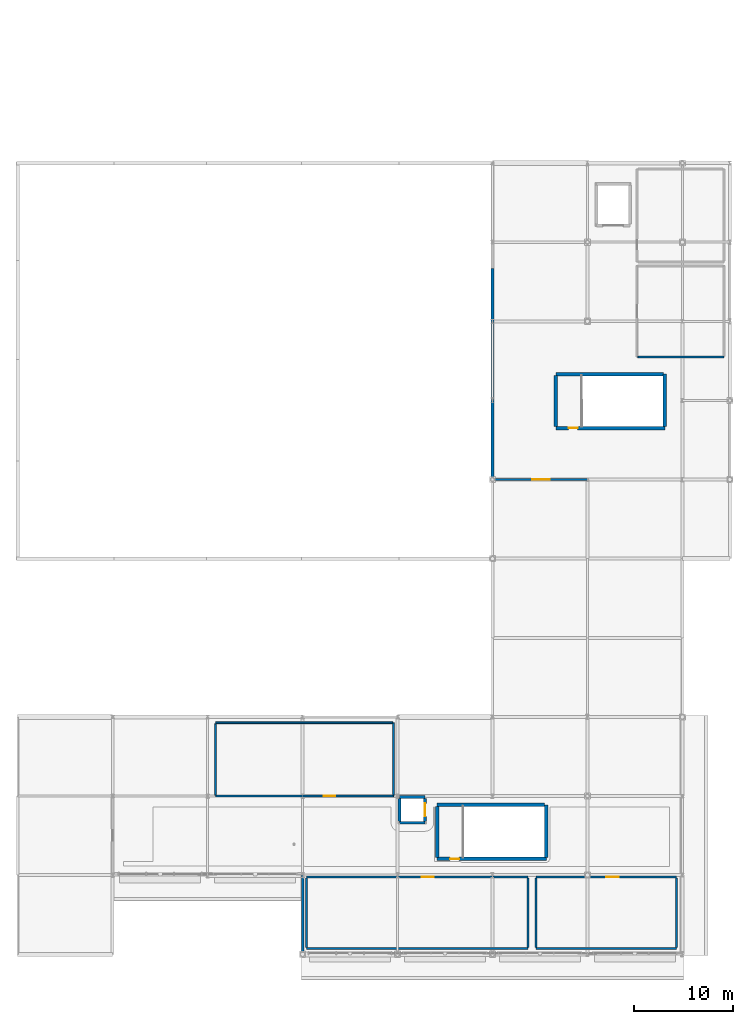
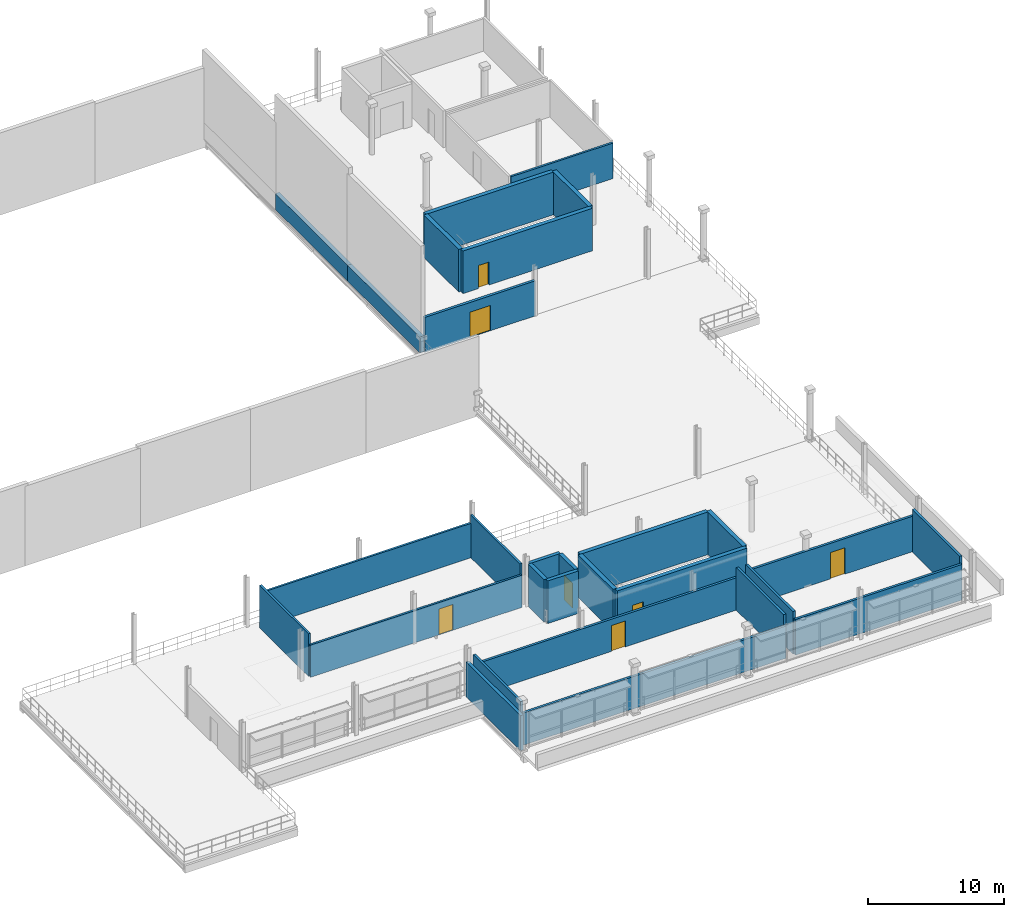
# One storey, part 40 of 59: 29 walls, 7 doors, 7 openings.
"""IFC4 building model written with IfcOpenShell, lengths in metres."""

from ifc_helpers import new_model, si_unit, direction, frame, frame_2d, origin, place, context, subcontext, project, spatial, rectangle, extrude, material, layer, layer_set, type_object, element, fill, save


model = new_model("IFC4")

# Units and contexts
model_context = context("Model", 3, precision=1e-05, world=origin(), true_north=direction((0.0, 1.0)))
body_context = subcontext(model_context, "Body", "Model", "MODEL_VIEW")
ifc_project = project(units=[si_unit("LENGTHUNIT", "METRE"), si_unit("AREAUNIT", "SQUARE_METRE"), si_unit("VOLUMEUNIT", "CUBIC_METRE"), si_unit("PLANEANGLEUNIT", "RADIAN"), si_unit("MASSUNIT", "GRAM", prefix="KILO")], contexts=[model_context])

# Site, building, storey
site_placement = place(None, origin())
site = spatial("IfcSite", under=ifc_project, at=site_placement, CompositionType="ELEMENT")
building_placement = place(site_placement, origin())
building = spatial("IfcBuilding", under=site, at=building_placement, Name="Danafjord Basin Convention Centre", CompositionType="ELEMENT")
storey_placement = place(building_placement, frame((0.0, 0.0, 15.89990234375)))
storey = spatial("IfcBuildingStorey", under=building, at=storey_placement, Name="L03", CompositionType="ELEMENT", Elevation=15.89990234375)

# Walls
ifc_material_1 = material(Name="Concrete C40/50", Category="concrete")
ifc_layer_1 = layer(ifc_material_1, 0.300048828125)
ifc_layer_set_1 = layer_set([ifc_layer_1], Name="Concrete C40/50")
wall_type_1 = type_object("IfcWallType", Name="WALL-CW-CORE300", PredefinedType="SHEAR", material=ifc_layer_set_1)
for number, where, z_axis, x_axis, name in (
    (1, (185.199951171875, 15.89990234375, 0.0), (0.0, 0.0, 1.0), (-1.0, 0.0, 0.0), "Lift LF-P06 shaft shear wall"),
    (2, (182.60009765625, 13.300048828125, 0.0), (0.0, 0.0, 1.0), (1.0, 0.0, 0.0), "Lift LF-P06 shaft shear wall"),
):
    element("IfcWall", number, at=place(storey_placement, frame(where, z_axis=z_axis, x_axis=x_axis)), inside=storey, type_object=wall_type_1, Name=name, PredefinedType="SHEAR", context=body_context, shape_type="SweptSolid", body=[
        extrude(rectangle(XDim=2.599853515625, YDim=0.300048828125, at=frame_2d((1.2998046875, 0.0))), origin(), (0.0, 0.0, 1.0), 3.835205078125),
    ])

# Wall, opening, door
wall_1_placement = place(storey_placement, frame((185.199951171875, 13.43505859375, 0.0), z_axis=(0.0, 0.0, 1.0), x_axis=(0.0, 1.0, 0.0)))
wall_1 = element("IfcWall", 3, at=wall_1_placement, inside=storey, type_object=wall_type_1, Name="Lift LF-P06 shaft shear wall", PredefinedType="SHEAR", context=body_context, shape_type="SweptSolid", body=[
    extrude(rectangle(XDim=2.329833984375, YDim=0.300048828125, at=frame_2d((1.1650390625, 0.0))), origin(), (0.0, 0.0, 1.0), 3.835205078125),
])
opening_1_placement = place(wall_1_placement, frame((0.514892578125, 0.0, 0.0)))
opening_1 = element("IfcOpeningElement", 4, at=opening_1_placement, cuts=wall_1, Name="Opening LD-P02", PredefinedType="OPENING", context=body_context, shape_type="SweptSolid", body=[
    extrude(rectangle(XDim=1.300048828125, YDim=2.219970703125, at=frame_2d((0.64990234375, 1.10986328125))), frame((0.0, 0.159912109375, 0.0), z_axis=(0.0, -1.0, 0.0), x_axis=(1.0, 0.0, 0.0)), (0.0, 0.0, 1.0), 0.320068359375),
])
ifc_material_2 = material(Name="Brushed stainless steel and acoustic laminated glass", Category="steel")
door_type_1 = type_object("IfcDoorType", Name="DOOR-LD-P02", OperationType="DOUBLE_DOOR_SLIDING", PredefinedType="DOOR", material=ifc_material_2)
door_1_placement = place(opening_1_placement, origin())
door_1 = element("IfcDoor", 5, at=door_1_placement, inside=storey, type_object=door_type_1, Name="Lift LF-P06 L03 Landing Door", OperationType="DOUBLE_DOOR_SLIDING", OverallHeight=2.219970703125, OverallWidth=1.300048828125, PredefinedType="DOOR", context=body_context, shape_type="SweptSolid", body=[
    extrude(rectangle(XDim=1.300048828125, YDim=2.219970703125, at=frame_2d((0.64990234375, 1.10986328125))), frame((0.0, 0.02490234375, 0.0), z_axis=(0.0, -1.0, 0.0), x_axis=(1.0, 0.0, 0.0)), (0.0, 0.0, 1.0), 0.050048828125),
])
fill(opening_1, door_1)

# Wall
wall_2_placement = place(storey_placement, frame((182.60009765625, 15.764892578125, 0.0), z_axis=(0.0, 0.0, 1.0), x_axis=(0.0, -1.0, 0.0)))
element("IfcWall", 6, at=wall_2_placement, inside=storey, type_object=wall_type_1, Name="Lift LF-P06 shaft shear wall", PredefinedType="SHEAR", context=body_context, shape_type="SweptSolid", body=[
    extrude(rectangle(XDim=2.329833984375, YDim=0.300048828125, at=frame_2d((1.1650390625, 0.0))), origin(), (0.0, 0.0, 1.0), 3.835205078125),
])

# Wall, opening, door
ifc_material_3 = material(Name="Concrete C45/55", Category="concrete")
ifc_layer_2 = layer(ifc_material_3, 0.35009765625)
ifc_layer_set_2 = layer_set([ifc_layer_2], Name="Concrete C45/55")
wall_type_2 = type_object("IfcWallType", Name="WALL-CW-CORE350", PredefinedType="SHEAR", material=ifc_layer_set_2)
wall_3_placement = place(storey_placement, frame((198.39990234375, 53.199951171875, 0.0), z_axis=(0.0, 0.0, 1.0), x_axis=(1.0, 0.0, 0.0)))
wall_3 = element("IfcWall", 7, at=wall_3_placement, inside=storey, type_object=wall_type_2, Name="Ballroom East Core Stair 1 core shear wall (south)", PredefinedType="SHEAR", context=body_context, shape_type="SweptSolid", body=[
    extrude(rectangle(XDim=11.0400390625, YDim=0.35009765625, at=frame_2d((5.52001953125, 0.0))), origin(), (0.0, 0.0, 1.0), 3.835205078125),
])
opening_2_placement = place(wall_3_placement, frame((1.31201171875, 0.0, 0.0)))
opening_2 = element("IfcOpeningElement", 8, at=opening_2_placement, cuts=wall_3, Name="Opening FD-S01", PredefinedType="OPENING", context=body_context, shape_type="SweptSolid", body=[
    extrude(rectangle(XDim=0.909912109375, YDim=2.080078125, at=frame_2d((0.455078125, 1.0400390625))), frame((0.0, 0.18505859375, 0.0), z_axis=(0.0, -1.0, 0.0), x_axis=(1.0, 0.0, 0.0)), (0.0, 0.0, 1.0), 0.3701171875),
])
ifc_material_4 = material(Name="Powder-coated steel and Nordic oak", Category="steel")
door_type_2 = type_object("IfcDoorType", Name="DOOR-FD-S01", OperationType="NOTDEFINED", PredefinedType="DOOR", material=ifc_material_4)
door_2_placement = place(opening_2_placement, origin())
door_2 = element("IfcDoor", 9, at=door_2_placement, inside=storey, type_object=door_type_2, Name="Ballroom East Core Stair 1 L03 Fire Exit Door", OperationType="SINGLE_SWING_RIGHT", OverallHeight=2.080078125, OverallWidth=0.909912109375, PredefinedType="DOOR", context=body_context, shape_type="SweptSolid", body=[
    extrude(rectangle(XDim=0.909912109375, YDim=2.080078125, at=frame_2d((0.455078125, 1.0400390625))), frame((0.0, 0.02490234375, 0.0), z_axis=(0.0, -1.0, 0.0), x_axis=(1.0, 0.0, 0.0)), (0.0, 0.0, 1.0), 0.050048828125),
])
fill(opening_2, door_2)

# Walls
wall_4_placement = place(storey_placement, frame((209.43994140625, 53.360107421875, 0.0), z_axis=(0.0, 0.0, 1.0), x_axis=(0.0, 1.0, 0.0)))
element("IfcWall", 10, at=wall_4_placement, inside=storey, type_object=wall_type_2, Name="Ballroom East Core Stair 1 core shear wall (east)", PredefinedType="SHEAR", context=body_context, shape_type="SweptSolid", body=[
    extrude(rectangle(XDim=5.2998046875, YDim=0.35009765625, at=frame_2d((2.64990234375, 0.0))), origin(), (0.0, 0.0, 1.0), 3.835205078125),
])
wall_5_placement = place(storey_placement, frame((209.280029296875, 58.659912109375, 0.0), z_axis=(0.0, 0.0, 1.0), x_axis=(-1.0, 0.0, 0.0)))
element("IfcWall", 11, at=wall_5_placement, inside=storey, type_object=wall_type_2, Name="Ballroom East Core Stair 1 core shear wall (north)", PredefinedType="SHEAR", context=body_context, shape_type="SweptSolid", body=[
    extrude(rectangle(XDim=10.880126953125, YDim=0.35009765625, at=frame_2d((5.43994140625, 0.0))), origin(), (0.0, 0.0, 1.0), 3.835205078125),
])
wall_6_placement = place(storey_placement, frame((198.39990234375, 58.5, 0.0), z_axis=(0.0, 0.0, 1.0), x_axis=(0.0, -1.0, 0.0)))
element("IfcWall", 12, at=wall_6_placement, inside=storey, type_object=wall_type_2, Name="Ballroom East Core Stair 1 core shear wall (west)", PredefinedType="SHEAR", context=body_context, shape_type="SweptSolid", body=[
    extrude(rectangle(XDim=5.139892578125, YDim=0.35009765625, at=frame_2d((2.56982421875, 0.0))), origin(), (0.0, 0.0, 1.0), 3.835205078125),
])

# Wall, opening, door
wall_7_placement = place(storey_placement, frame((186.39990234375, 9.64990234375, 0.0), z_axis=(0.0, 0.0, 1.0), x_axis=(1.0, 0.0, 0.0)))
wall_7 = element("IfcWall", 13, at=wall_7_placement, inside=storey, type_object=wall_type_2, Name="Harbour Pavilion Core Stair 1 core shear wall (south)", PredefinedType="SHEAR", context=body_context, shape_type="SweptSolid", body=[
    extrude(rectangle(XDim=11.0400390625, YDim=0.35009765625, at=frame_2d((5.52001953125, 0.0))), origin(), (0.0, 0.0, 1.0), 3.835205078125),
])
opening_3_placement = place(wall_7_placement, frame((1.31201171875, 0.0, 0.0)))
opening_3 = element("IfcOpeningElement", 14, at=opening_3_placement, cuts=wall_7, Name="Opening FD-S01", PredefinedType="OPENING", context=body_context, shape_type="SweptSolid", body=[
    extrude(rectangle(XDim=0.909912109375, YDim=2.080078125, at=frame_2d((0.455078125, 1.0400390625))), frame((0.0, 0.18505859375, 0.0), z_axis=(0.0, -1.0, 0.0), x_axis=(1.0, 0.0, 0.0)), (0.0, 0.0, 1.0), 0.3701171875),
])
door_3_placement = place(opening_3_placement, origin())
door_3 = element("IfcDoor", 15, at=door_3_placement, inside=storey, type_object=door_type_2, Name="Harbour Pavilion Core Stair 1 L03 Fire Exit Door", OperationType="SINGLE_SWING_LEFT", OverallHeight=2.080078125, OverallWidth=0.909912109375, PredefinedType="DOOR", context=body_context, shape_type="SweptSolid", body=[
    extrude(rectangle(XDim=0.909912109375, YDim=2.080078125, at=frame_2d((0.455078125, 1.0400390625))), frame((0.0, 0.02490234375, 0.0), z_axis=(0.0, -1.0, 0.0), x_axis=(1.0, 0.0, 0.0)), (0.0, 0.0, 1.0), 0.050048828125),
])
fill(opening_3, door_3)

# Walls
wall_8_placement = place(storey_placement, frame((197.43994140625, 9.81005859375, 0.0), z_axis=(0.0, 0.0, 1.0), x_axis=(0.0, 1.0, 0.0)))
element("IfcWall", 16, at=wall_8_placement, inside=storey, type_object=wall_type_2, Name="Harbour Pavilion Core Stair 1 core shear wall (east)", PredefinedType="SHEAR", context=body_context, shape_type="SweptSolid", body=[
    extrude(rectangle(XDim=5.300048828125, YDim=0.35009765625, at=frame_2d((2.64990234375, 0.0))), origin(), (0.0, 0.0, 1.0), 3.835205078125),
])
wall_9_placement = place(storey_placement, frame((197.280029296875, 15.110107421875, 0.0), z_axis=(0.0, 0.0, 1.0), x_axis=(-1.0, 0.0, 0.0)))
element("IfcWall", 17, at=wall_9_placement, inside=storey, type_object=wall_type_2, Name="Harbour Pavilion Core Stair 1 core shear wall (north)", PredefinedType="SHEAR", context=body_context, shape_type="SweptSolid", body=[
    extrude(rectangle(XDim=10.880126953125, YDim=0.35009765625, at=frame_2d((5.43994140625, 0.0))), origin(), (0.0, 0.0, 1.0), 3.835205078125),
])
wall_10_placement = place(storey_placement, frame((186.39990234375, 14.949951171875, 0.0), z_axis=(0.0, 0.0, 1.0), x_axis=(0.0, -1.0, 0.0)))
element("IfcWall", 18, at=wall_10_placement, inside=storey, type_object=wall_type_2, Name="Harbour Pavilion Core Stair 1 core shear wall (west)", PredefinedType="SHEAR", context=body_context, shape_type="SweptSolid", body=[
    extrude(rectangle(XDim=5.139892578125, YDim=0.35009765625, at=frame_2d((2.56982421875, 0.0))), origin(), (0.0, 0.0, 1.0), 3.835205078125),
])
ifc_material_5 = material(Name="Precast concrete C40/50", Category="concrete")
ifc_layer_3 = layer(ifc_material_5, 0.340087890625)
ifc_layer_set_3 = layer_set([ifc_layer_3], Name="Precast concrete C40/50")
wall_type_3 = type_object("IfcWallType", Name="WALL-EW-PC340", PredefinedType="SOLIDWALL", material=ifc_layer_set_3)
wall_11_placement = place(storey_placement, frame((192.0, 48.0, 0.0), z_axis=(0.0, 0.0, 1.0), x_axis=(0.0, 1.0, 0.0)))
element("IfcWall", 19, at=wall_11_placement, inside=storey, type_object=wall_type_3, Name="L03 east congress wing facade wall", PredefinedType="SOLIDWALL", context=body_context, shape_type="SweptSolid", body=[
    extrude(rectangle(XDim=10.6669921875, YDim=0.340087890625, at=frame_2d((5.33349609375, 0.0))), origin(), (0.0, 0.0, 1.0), 1.440185546875),
])
wall_12_placement = place(storey_placement, frame((192.0, 58.6669921875, 0.0), z_axis=(0.0, 0.0, 1.0), x_axis=(0.0, 1.0, 0.0)))
element("IfcWall", 20, at=wall_12_placement, inside=storey, type_object=wall_type_3, Name="L03 east congress wing facade wall", PredefinedType="SOLIDWALL", context=body_context, shape_type="SweptSolid", body=[
    extrude(rectangle(XDim=10.666015625, YDim=0.340087890625, at=frame_2d((5.3330078125, 0.0))), origin(), (0.0, 0.0, 1.0), 1.440185546875),
])

# Wall, opening, door
ifc_material_6 = material(Name="Concrete C35/45", Category="concrete")
ifc_layer_4 = layer(ifc_material_6, 0.22998046875)
ifc_layer_set_4 = layer_set([ifc_layer_4], Name="Concrete C35/45")
wall_type_4 = type_object("IfcWallType", Name="WALL-EW-STD230", PredefinedType="STANDARD", material=ifc_layer_set_4)
wall_13_placement = place(storey_placement, frame((192.174072265625, 48.0, 0.0), z_axis=(0.0, 0.0, 1.0), x_axis=(1.0, 0.0, 0.0)))
wall_13 = element("IfcWall", 21, at=wall_13_placement, inside=storey, type_object=wall_type_4, Name="L03 Ballroom roof-garden access wall", PredefinedType="STANDARD", context=body_context, shape_type="SweptSolid", body=[
    extrude(rectangle(XDim=9.426025390625, YDim=0.22998046875, at=frame_2d((4.712890625, 0.0))), origin(), (0.0, 0.0, 1.0), 3.155029296875),
])
opening_4_placement = place(wall_13_placement, frame((3.8330078125, 0.0, 0.0)))
opening_4 = element("IfcOpeningElement", 22, at=opening_4_placement, cuts=wall_13, Name="Opening ED-04", PredefinedType="OPENING", context=body_context, shape_type="SweptSolid", body=[
    extrude(rectangle(XDim=1.760009765625, YDim=2.280029296875, at=frame_2d((0.8798828125, 1.14013671875))), frame((0.0, 0.125, 0.0), z_axis=(0.0, -1.0, 0.0), x_axis=(1.0, 0.0, 0.0)), (0.0, 0.0, 1.0), 0.25),
])
ifc_material_7 = material(Name="Thermally broken anodised aluminium and steel", Category="steel")
door_type_3 = type_object("IfcDoorType", Name="DOOR-ED-04", OperationType="DOUBLE_DOOR_SINGLE_SWING", PredefinedType="DOOR", material=ifc_material_7)
door_4_placement = place(opening_4_placement, origin())
door_4 = element("IfcDoor", 23, at=door_4_placement, inside=storey, type_object=door_type_3, Name="Ballroom Roof-Garden Terrace Door", OperationType="DOUBLE_DOOR_SINGLE_SWING", OverallHeight=2.280029296875, OverallWidth=1.760009765625, PredefinedType="DOOR", context=body_context, shape_type="SweptSolid", body=[
    extrude(rectangle(XDim=1.760009765625, YDim=2.280029296875, at=frame_2d((0.8798828125, 1.14013671875))), frame((0.0, 0.02490234375, 0.0), z_axis=(0.0, -1.0, 0.0), x_axis=(1.0, 0.0, 0.0)), (0.0, 0.0, 1.0), 0.050048828125),
])
fill(opening_4, door_4)

# Wall
ifc_layer_5 = layer(ifc_material_6, 0.260009765625)
ifc_layer_set_5 = layer_set([ifc_layer_5], Name="Concrete C35/45")
wall_type_5 = type_object("IfcWallType", Name="WALL-EW-STD260", PredefinedType="STANDARD", material=ifc_layer_set_5)
wall_14_placement = place(storey_placement, frame((172.800048828125, 0.0, 0.0), z_axis=(0.0, 0.0, 1.0), x_axis=(0.0, 1.0, 0.0)))
element("IfcWall", 24, at=wall_14_placement, inside=storey, type_object=wall_type_5, Name="Harbour entry court east cheek wall", PredefinedType="STANDARD", context=body_context, shape_type="SweptSolid", body=[
    extrude(rectangle(XDim=8.0, YDim=0.260009765625, at=frame_2d((4.0, 0.0))), origin(), (0.0, 0.0, 1.0), 3.155029296875),
])

# Wall, opening, door
ifc_material_8 = material(Name="Acoustic double-board gypsum stud partition")
ifc_layer_6 = layer(ifc_material_8, 0.175048828125)
ifc_layer_set_6 = layer_set([ifc_layer_6], Name="Acoustic double-board gypsum stud partition")
wall_type_6 = type_object("IfcWallType", Name="WALL-PT-AC175", PredefinedType="PARTITIONING", material=ifc_layer_set_6)
wall_15_placement = place(storey_placement, frame((164.0, 16.0, 0.0), z_axis=(0.0, 0.0, 1.0), x_axis=(1.0, 0.0, 0.0)))
wall_15 = element("IfcWall", 25, at=wall_15_placement, inside=storey, type_object=wall_type_6, Name="Harbour Executive Dining Restaurant south partition", PredefinedType="PARTITIONING", context=body_context, shape_type="SweptSolid", body=[
    extrude(rectangle(XDim=18.0, YDim=0.175048828125, at=frame_2d((9.0, 0.0))), origin(), (0.0, 0.0, 1.0), 2.905029296875),
])
opening_5_placement = place(wall_15_placement, frame((10.946044921875, 0.0, 0.0)))
opening_5 = element("IfcOpeningElement", 26, at=opening_5_placement, cuts=wall_15, Name="Opening FD-S17", PredefinedType="OPENING", context=body_context, shape_type="SweptSolid", body=[
    extrude(rectangle(XDim=1.159912109375, YDim=2.320068359375, at=frame_2d((0.580078125, 1.16015625))), frame((0.0, 0.097412109375, 0.0), z_axis=(0.0, -1.0, 0.0), x_axis=(1.0, 0.0, 0.0)), (0.0, 0.0, 1.0), 0.195068359375),
])
door_type_4 = type_object("IfcDoorType", Name="DOOR-FD-S17", OperationType="NOTDEFINED", PredefinedType="DOOR", material=ifc_material_4)
door_5_placement = place(opening_5_placement, origin())
door_5 = element("IfcDoor", 27, at=door_5_placement, inside=storey, type_object=door_type_4, Name="Harbour Executive Dining Restaurant Entrance Door", OperationType="SINGLE_SWING_RIGHT", OverallHeight=2.320068359375, OverallWidth=1.159912109375, PredefinedType="DOOR", context=body_context, shape_type="SweptSolid", body=[
    extrude(rectangle(XDim=1.159912109375, YDim=2.320068359375, at=frame_2d((0.580078125, 1.16015625))), frame((0.0, 0.02490234375, 0.0), z_axis=(0.0, -1.0, 0.0), x_axis=(1.0, 0.0, 0.0)), (0.0, 0.0, 1.0), 0.050048828125),
])
fill(opening_5, door_5)

# Walls
wall_16_placement = place(storey_placement, frame((182.0, 16.091552734375, 0.0), z_axis=(0.0, 0.0, 1.0), x_axis=(0.0, 1.0, 0.0)))
element("IfcWall", 28, at=wall_16_placement, inside=storey, type_object=wall_type_6, Name="Harbour Executive Dining Restaurant east partition", PredefinedType="PARTITIONING", context=body_context, shape_type="SweptSolid", body=[
    extrude(rectangle(XDim=7.308349609375, YDim=0.175048828125, at=frame_2d((3.654296875, 0.0))), origin(), (0.0, 0.0, 1.0), 3.835205078125),
])
wall_17_placement = place(storey_placement, frame((181.908447265625, 23.39990234375, 0.0), z_axis=(0.0, 0.0, 1.0), x_axis=(-1.0, 0.0, 0.0)))
element("IfcWall", 29, at=wall_17_placement, inside=storey, type_object=wall_type_6, Name="Harbour Executive Dining Restaurant north partition", PredefinedType="PARTITIONING", context=body_context, shape_type="SweptSolid", body=[
    extrude(rectangle(XDim=17.908447265625, YDim=0.175048828125, at=frame_2d((8.9541015625, 0.0))), origin(), (0.0, 0.0, 1.0), 3.10498046875),
])
wall_18_placement = place(storey_placement, frame((164.0, 23.30859375, 0.0), z_axis=(0.0, 0.0, 1.0), x_axis=(0.0, -1.0, 0.0)))
element("IfcWall", 30, at=wall_18_placement, inside=storey, type_object=wall_type_6, Name="Harbour Executive Dining Restaurant west partition", PredefinedType="PARTITIONING", context=body_context, shape_type="SweptSolid", body=[
    extrude(rectangle(XDim=7.217041015625, YDim=0.175048828125, at=frame_2d((3.6083984375, 0.0))), origin(), (0.0, 0.0, 1.0), 3.835205078125),
])
wall_19_placement = place(storey_placement, frame((206.69140625, 60.39990234375, 0.0), z_axis=(0.0, 0.0, 1.0), x_axis=(1.0, 0.0, 0.0)))
element("IfcWall", 31, at=wall_19_placement, inside=storey, type_object=wall_type_6, Name="Delegate Conference Lounge south partition", PredefinedType="PARTITIONING", context=body_context, shape_type="SweptSolid", body=[
    extrude(rectangle(XDim=8.70849609375, YDim=0.175048828125, at=frame_2d((4.354248046875, 0.0))), origin(), (0.0, 0.0, 1.0), 3.205078125),
])

# Wall, opening, door
ifc_layer_7 = layer(ifc_material_6, 0.205078125)
ifc_layer_set_7 = layer_set([ifc_layer_7], Name="Concrete C35/45")
wall_type_7 = type_object("IfcWallType", Name="WALL-W-COMP205", PredefinedType="SOLIDWALL", material=ifc_layer_set_7)
wall_20_placement = place(storey_placement, frame((195.60009765625, 7.800048828125, 0.0), z_axis=(0.0, 0.0, 1.0), x_axis=(-1.0, 0.0, 0.0)))
wall_20 = element("IfcWall", 32, at=wall_20_placement, inside=storey, type_object=wall_type_7, Name="Executive Dining Kitchen north partition", PredefinedType="SOLIDWALL", context=body_context, shape_type="SweptSolid", body=[
    extrude(rectangle(XDim=22.400146484375, YDim=0.205078125, at=frame_2d((11.2001953125, 0.0))), origin(), (0.0, 0.0, 1.0), 2.905029296875),
])
opening_6_placement = place(wall_20_placement, frame((9.544921875, 0.0, 0.0)))
opening_6 = element("IfcOpeningElement", 33, at=opening_6_placement, cuts=wall_20, Name="Opening FD-S18", PredefinedType="OPENING", context=body_context, shape_type="SweptSolid", body=[
    extrude(rectangle(XDim=1.18994140625, YDim=2.340087890625, at=frame_2d((0.594970703125, 1.169921875))), frame((0.0, 0.112548828125, 0.0), z_axis=(0.0, -1.0, 0.0), x_axis=(1.0, 0.0, 0.0)), (0.0, 0.0, 1.0), 0.22509765625),
])
door_type_5 = type_object("IfcDoorType", Name="DOOR-FD-S18", OperationType="NOTDEFINED", PredefinedType="DOOR", material=ifc_material_4)
door_6_placement = place(opening_6_placement, origin())
door_6 = element("IfcDoor", 34, at=door_6_placement, inside=storey, type_object=door_type_5, Name="Executive Dining Kitchen Entrance Door", OperationType="SINGLE_SWING_LEFT", OverallHeight=2.340087890625, OverallWidth=1.18994140625, PredefinedType="DOOR", context=body_context, shape_type="SweptSolid", body=[
    extrude(rectangle(XDim=1.18994140625, YDim=2.340087890625, at=frame_2d((0.594970703125, 1.169921875))), frame((0.0, 0.02490234375, 0.0), z_axis=(0.0, -1.0, 0.0), x_axis=(1.0, 0.0, 0.0)), (0.0, 0.0, 1.0), 0.050048828125),
])
fill(opening_6, door_6)

# Walls
wall_21_placement = place(storey_placement, frame((173.199951171875, 0.60009765625, 0.0), z_axis=(0.0, 0.0, 1.0), x_axis=(1.0, 0.0, 0.0)))
element("IfcWall", 35, at=wall_21_placement, inside=storey, type_object=wall_type_7, Name="Executive Dining Kitchen south partition", PredefinedType="SOLIDWALL", context=body_context, shape_type="SweptSolid", body=[
    extrude(rectangle(XDim=22.400146484375, YDim=0.205078125, at=frame_2d((11.2001953125, 0.0))), origin(), (0.0, 0.0, 1.0), 2.905029296875),
])
for number, where, z_axis, x_axis, name in (
    (36, (195.60009765625, 0.70654296875, 0.0), (0.0, 0.0, 1.0), (0.0, 1.0, 0.0), "Executive Dining Kitchen east partition"),
    (37, (173.199951171875, 7.693603515625, 0.0), (0.0, 0.0, 1.0), (0.0, -1.0, 0.0), "Executive Dining Kitchen west partition"),
):
    element("IfcWall", number, at=place(storey_placement, frame(where, z_axis=z_axis, x_axis=x_axis)), inside=storey, type_object=wall_type_7, Name=name, PredefinedType="SOLIDWALL", context=body_context, shape_type="SweptSolid", body=[
        extrude(rectangle(XDim=6.987060546875, YDim=0.205078125, at=frame_2d((3.49365234375, 0.0))), origin(), (0.0, 0.0, 1.0), 3.835205078125),
    ])

# Wall, opening, door
wall_22_placement = place(storey_placement, frame((210.60009765625, 7.800048828125, 0.0), z_axis=(0.0, 0.0, 1.0), x_axis=(-1.0, 0.0, 0.0)))
wall_22 = element("IfcWall", 38, at=wall_22_placement, inside=storey, type_object=wall_type_7, Name="Broadcast Equipment Crate Store north partition", PredefinedType="SOLIDWALL", context=body_context, shape_type="SweptSolid", body=[
    extrude(rectangle(XDim=14.2001953125, YDim=0.205078125, at=frame_2d((7.10009765625, 0.0))), origin(), (0.0, 0.0, 1.0), 3.205078125),
])
opening_7_placement = place(wall_22_placement, frame((5.826904296875, 0.0, 0.0)))
opening_7 = element("IfcOpeningElement", 39, at=opening_7_placement, cuts=wall_22, Name="Opening FD-S20", PredefinedType="OPENING", context=body_context, shape_type="SweptSolid", body=[
    extrude(rectangle(XDim=1.25, YDim=2.3798828125, at=frame_2d((0.625, 1.18994140625))), frame((0.0, 0.112548828125, 0.0), z_axis=(0.0, -1.0, 0.0), x_axis=(1.0, 0.0, 0.0)), (0.0, 0.0, 1.0), 0.22509765625),
])
door_type_6 = type_object("IfcDoorType", Name="DOOR-FD-S20", OperationType="NOTDEFINED", PredefinedType="DOOR", material=ifc_material_4)
door_7_placement = place(opening_7_placement, origin())
door_7 = element("IfcDoor", 40, at=door_7_placement, inside=storey, type_object=door_type_6, Name="Broadcast Equipment Crate Store Entrance Door", OperationType="SINGLE_SWING_LEFT", OverallHeight=2.3798828125, OverallWidth=1.25, PredefinedType="DOOR", context=body_context, shape_type="SweptSolid", body=[
    extrude(rectangle(XDim=1.25, YDim=2.3798828125, at=frame_2d((0.625, 1.18994140625))), frame((0.0, 0.02490234375, 0.0), z_axis=(0.0, -1.0, 0.0), x_axis=(1.0, 0.0, 0.0)), (0.0, 0.0, 1.0), 0.050048828125),
])
fill(opening_7, door_7)

# Walls
wall_23_placement = place(storey_placement, frame((196.39990234375, 0.60009765625, 0.0), z_axis=(0.0, 0.0, 1.0), x_axis=(1.0, 0.0, 0.0)))
element("IfcWall", 41, at=wall_23_placement, inside=storey, type_object=wall_type_7, Name="Broadcast Equipment Crate Store south partition", PredefinedType="SOLIDWALL", context=body_context, shape_type="SweptSolid", body=[
    extrude(rectangle(XDim=14.2001953125, YDim=0.205078125, at=frame_2d((7.10009765625, 0.0))), origin(), (0.0, 0.0, 1.0), 3.205078125),
])
for number, where, z_axis, x_axis, name in (
    (42, (210.60009765625, 0.70654296875, 0.0), (0.0, 0.0, 1.0), (0.0, 1.0, 0.0), "Broadcast Equipment Crate Store east partition"),
    (43, (196.39990234375, 7.693603515625, 0.0), (0.0, 0.0, 1.0), (0.0, -1.0, 0.0), "Broadcast Equipment Crate Store west partition"),
):
    element("IfcWall", number, at=place(storey_placement, frame(where, z_axis=z_axis, x_axis=x_axis)), inside=storey, type_object=wall_type_7, Name=name, PredefinedType="SOLIDWALL", context=body_context, shape_type="SweptSolid", body=[
        extrude(rectangle(XDim=6.987060546875, YDim=0.205078125, at=frame_2d((3.49365234375, 0.0))), origin(), (0.0, 0.0, 1.0), 3.835205078125),
    ])

save(model, "model.ifc")
